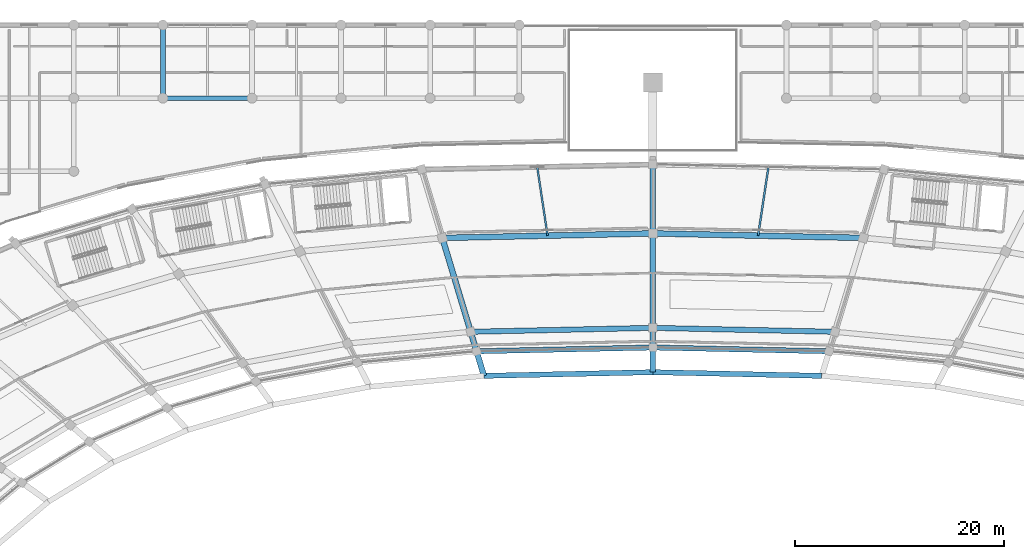
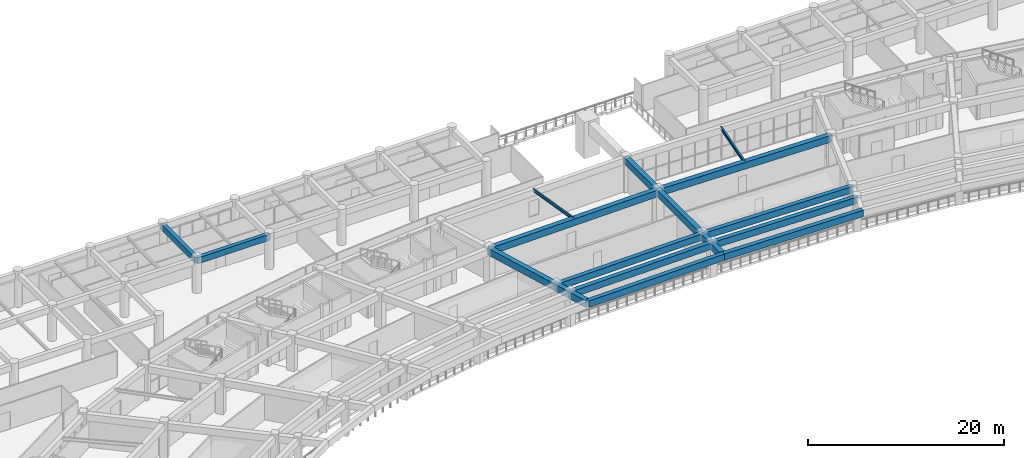
# One storey, part 65 of 145: 15 beams.
"""IFC4 building model written with IfcOpenShell, lengths in metres."""

from ifc_helpers import new_model, si_unit, direction, frame, origin, origin_2d, place, context, subcontext, project, spatial, rectangle, i_section, extrude, material, material_profile, profile_set, type_object, element, save


model = new_model("IFC4")

# Units and contexts
model_context = context("Model", 3, precision=1e-05, world=origin(), true_north=direction((0.0, 1.0)))
body_context = subcontext(model_context, "Body", "Model", "MODEL_VIEW")
ifc_project = project(units=[si_unit("LENGTHUNIT", "METRE"), si_unit("AREAUNIT", "SQUARE_METRE"), si_unit("VOLUMEUNIT", "CUBIC_METRE"), si_unit("PLANEANGLEUNIT", "RADIAN"), si_unit("MASSUNIT", "GRAM", prefix="KILO")], contexts=[model_context])

# Site, building, storey
site_placement = place(None, origin())
site = spatial("IfcSite", under=ifc_project, at=site_placement, CompositionType="ELEMENT")
building_placement = place(site_placement, origin())
building = spatial("IfcBuilding", under=site, at=building_placement, Name="Mphavela Belvedere Stadium", CompositionType="ELEMENT")
storey_placement = place(building_placement, frame((0.0, 0.0, 10.199951171875)))
storey = spatial("IfcBuildingStorey", under=building, at=storey_placement, Name="L02", CompositionType="ELEMENT", Elevation=10.199951171875)

# Beams
ifc_material_1 = material(Name="Steel S355", Category="steel")
ifc_material_profile_1 = material_profile(ifc_material_1, i_section(OverallWidth=0.169921875, OverallDepth=0.360107421875, WebThickness=0.008056640625, FlangeThickness=0.0126953125, at=origin_2d()), Name="IPE 360")
ifc_profile_set_1 = profile_set([ifc_material_profile_1], Name="Steel S355")
beam_type_1 = type_object("IfcBeamType", Name="BM-JOIST-IPE360", PredefinedType="JOIST", material=ifc_profile_set_1)
beam_1_placement = place(storey_placement, frame((104.93359375, 153.850830078125, 4.070068359375), z_axis=(-0.148900105887, 0.98885224299, 0.0), x_axis=(-0.98885224299, -0.148900105887, 0.0)))
element("IfcBeam", 1, at=beam_1_placement, inside=storey, type_object=beam_type_1, Name="Concourse floor joist L02-13", PredefinedType="JOIST", context=body_context, shape_type="SweptSolid", body=[
    extrude(i_section(OverallWidth=0.169921875, OverallDepth=0.360107421875, WebThickness=0.008056640625, FlangeThickness=0.0126953125, at=origin_2d()), origin(), (0.0, 0.0, 1.0), 6.6552734375),
])
ifc_material_2 = material(Name="Steel S355", Category="steel")
ifc_material_profile_2 = material_profile(ifc_material_2, i_section(OverallWidth=0.179931640625, OverallDepth=0.39990234375, WebThickness=0.008544921875, FlangeThickness=0.013427734375, at=origin_2d()), Name="IPE 400")
ifc_profile_set_2 = profile_set([ifc_material_profile_2], Name="Steel S355")
beam_type_2 = type_object("IfcBeamType", Name="BM-JOIST-IPE400", PredefinedType="JOIST", material=ifc_profile_set_2)
beam_2_placement = place(storey_placement, frame((125.06640625, 153.850830078125, 4.050048828125), z_axis=(0.148900105887, 0.98885224299, 0.0), x_axis=(-0.98885224299, 0.148900105887, 0.0)))
element("IfcBeam", 2, at=beam_2_placement, inside=storey, type_object=beam_type_2, Name="Concourse floor joist L02-12", PredefinedType="JOIST", context=body_context, shape_type="SweptSolid", body=[
    extrude(i_section(OverallWidth=0.179931640625, OverallDepth=0.39990234375, WebThickness=0.008544921875, FlangeThickness=0.013427734375, at=origin_2d()), origin(), (0.0, 0.0, 1.0), 6.6552734375),
])
ifc_material_3 = material(Name="Concrete C40/50", Category="concrete")
ifc_material_profile_3 = material_profile(ifc_material_3, rectangle(XDim=0.449951171875, YDim=0.75, at=origin_2d()), Name="RC 450x750")
ifc_profile_set_3 = profile_set([ifc_material_profile_3], Name="Concrete C40/50")
beam_type_3 = type_object("IfcBeamType", Name="BM-RC450x750", PredefinedType="BEAM", material=ifc_profile_set_3)
beam_3_placement = place(storey_placement, frame((68.14794921875, 167.0, 3.864990234375), z_axis=(1.0, 0.0, 0.0), x_axis=(0.0, 1.0, 0.0)))
element("IfcBeam", 3, at=beam_3_placement, inside=storey, type_object=beam_type_3, Name="North Mast and Ceremonial End Forecourt entablature beam X L02 9-7", PredefinedType="BEAM", context=body_context, shape_type="SweptSolid", body=[
    extrude(rectangle(XDim=0.449951171875, YDim=0.75, at=origin_2d()), origin(), (0.0, 0.0, 1.0), 8.51904296875),
])
beam_4_placement = place(storey_placement, frame((68.14794921875, 167.0, 3.864990234375), z_axis=(0.0, 1.0, 0.0), x_axis=(-1.0, 0.0, 0.0)))
element("IfcBeam", 4, at=beam_4_placement, inside=storey, type_object=beam_type_3, Name="North Mast and Ceremonial End Forecourt entablature beam Y L02 9-7", PredefinedType="BEAM", context=body_context, shape_type="SweptSolid", body=[
    extrude(rectangle(XDim=0.449951171875, YDim=0.75, at=origin_2d()), origin(), (0.0, 0.0, 1.0), 7.0),
])
ifc_material_4 = material(Name="Concrete C40/50", Category="concrete")
ifc_material_profile_4 = material_profile(ifc_material_4, rectangle(XDim=0.5, YDim=0.800048828125, at=origin_2d()), Name="RC 500x800")
ifc_profile_set_4 = profile_set([ifc_material_profile_4], Name="Concrete C40/50")
beam_type_4 = type_object("IfcBeamType", Name="BM-RC500x800", PredefinedType="BEAM", material=ifc_profile_set_4)
beam_5_placement = place(storey_placement, frame((131.857177734375, 142.79296875, 3.85009765625), z_axis=(-0.9997681798, 0.021531062658, 0.0), x_axis=(-0.021531062658, -0.9997681798, 0.0)))
element("IfcBeam", 5, at=beam_5_placement, inside=storey, type_object=beam_type_4, Name="Circumferential girder L02 R1-12", PredefinedType="BEAM", context=body_context, shape_type="SweptSolid", body=[
    extrude(rectangle(XDim=0.5, YDim=0.800048828125, at=origin_2d()), origin(), (0.0, 0.0, 1.0), 16.861083984375),
])
beam_6_placement = place(storey_placement, frame((132.42041015625, 144.657470703125, 3.85009765625), z_axis=(-0.999768385959, 0.021521487805, 0.0), x_axis=(-0.021521487805, -0.999768385959, 0.0)))
element("IfcBeam", 6, at=beam_6_placement, inside=storey, type_object=beam_type_4, Name="Circumferential girder L02 R2-12", PredefinedType="BEAM", context=body_context, shape_type="SweptSolid", body=[
    extrude(rectangle(XDim=0.5, YDim=0.800048828125, at=origin_2d()), origin(), (0.0, 0.0, 1.0), 17.424560546875),
])
beam_7_placement = place(storey_placement, frame((115.0, 143.156005859375, 3.85009765625), z_axis=(-0.9997681798, -0.021531062658, 0.0), x_axis=(0.021531062658, -0.9997681798, 0.0)))
element("IfcBeam", 7, at=beam_7_placement, inside=storey, type_object=beam_type_4, Name="Circumferential girder L02 R1-13", PredefinedType="BEAM", context=body_context, shape_type="SweptSolid", body=[
    extrude(rectangle(XDim=0.5, YDim=0.800048828125, at=origin_2d()), origin(), (0.0, 0.0, 1.0), 16.861083984375),
])
beam_8_placement = place(storey_placement, frame((115.0, 145.032470703125, 3.85009765625), z_axis=(-0.999768385959, -0.021521487805, 0.0), x_axis=(0.021521487805, -0.999768385959, 0.0)))
element("IfcBeam", 8, at=beam_8_placement, inside=storey, type_object=beam_type_4, Name="Circumferential girder L02 R2-13", PredefinedType="BEAM", context=body_context, shape_type="SweptSolid", body=[
    extrude(rectangle(XDim=0.5, YDim=0.800048828125, at=origin_2d()), origin(), (0.0, 0.0, 1.0), 17.424560546875),
])
for number, where, z_axis, x_axis, name in (
    (9, (131.14794921875, 140.4453125, 3.85009765625), (-0.999768322215, 0.021524448774, 0.0), (-0.021524448774, -0.999768322215, 0.0), "Upper tier front sightline ring beam 12"),
    (10, (115.0, 140.79296875, 3.85009765625), (-0.999768322215, -0.021524448774, 0.0), (0.021524448774, -0.999768322215, 0.0), "Upper tier front sightline ring beam 13"),
):
    element("IfcBeam", number, at=place(storey_placement, frame(where, z_axis=z_axis, x_axis=x_axis)), inside=storey, type_object=beam_type_4, Name=name, PredefinedType="BEAM", context=body_context, shape_type="SweptSolid", body=[
        extrude(rectangle(XDim=0.5, YDim=0.800048828125, at=origin_2d()), origin(), (0.0, 0.0, 1.0), 16.151611328125),
    ])
ifc_material_5 = material(Name="Concrete C40/50", Category="concrete")
ifc_material_profile_5 = material_profile(ifc_material_5, rectangle(XDim=0.550048828125, YDim=0.85009765625, at=origin_2d()), Name="RC 550x850")
ifc_profile_set_5 = profile_set([ifc_material_profile_5], Name="Concrete C40/50")
beam_type_5 = type_object("IfcBeamType", Name="BM-RC550x850", PredefinedType="BEAM", material=ifc_profile_set_5)
for number, where, z_axis, x_axis, name in (
    (11, (135.1328125, 153.634033203125, 3.824951171875), (-0.999768427465, 0.02151955955, 0.0), (-0.02151955955, -0.999768427465, 0.0), "Circumferential girder L02 R3-12"),
    (12, (115.0, 154.0673828125, 3.824951171875), (-0.999768427465, -0.02151955955, 0.0), (0.02151955955, -0.999768427465, 0.0), "Circumferential girder L02 R3-13"),
):
    element("IfcBeam", number, at=place(storey_placement, frame(where, z_axis=z_axis, x_axis=x_axis)), inside=storey, type_object=beam_type_5, Name=name, PredefinedType="BEAM", context=body_context, shape_type="SweptSolid", body=[
        extrude(rectangle(XDim=0.550048828125, YDim=0.85009765625, at=origin_2d()), origin(), (0.0, 0.0, 1.0), 20.137451171875),
    ])
beam_9_placement = place(storey_placement, frame((115.0, 154.0673828125, 3.824951171875), z_axis=(0.0, 1.0, 0.0), x_axis=(-1.0, 0.0, 0.0)))
element("IfcBeam", 13, at=beam_9_placement, inside=storey, type_object=beam_type_5, Name="Radial concourse girder L02 R3R4-13", PredefinedType="BEAM", context=body_context, shape_type="SweptSolid", body=[
    extrude(rectangle(XDim=0.550048828125, YDim=0.85009765625, at=origin_2d()), origin(), (0.0, 0.0, 1.0), 6.6025390625),
])
beam_10_placement = place(storey_placement, frame((115.0, 140.79296875, 3.824951171875), z_axis=(0.0, 1.0, 0.0), x_axis=(-1.0, 0.0, 0.0)))
element("IfcBeam", 14, at=beam_10_placement, inside=storey, type_object=beam_type_5, Name="Upper tier box-front outrigger girder 13", PredefinedType="BEAM", context=body_context, shape_type="SweptSolid", body=[
    extrude(rectangle(XDim=0.550048828125, YDim=0.85009765625, at=origin_2d()), origin(), (0.0, 0.0, 1.0), 13.2744140625),
])
beam_11_placement = place(storey_placement, frame((98.85205078125, 140.4453125, 3.824951171875), z_axis=(-0.289228268404, 0.957260157301, 0.0), x_axis=(-0.957260157301, -0.289228268404, 0.0)))
element("IfcBeam", 15, at=beam_11_placement, inside=storey, type_object=beam_type_5, Name="Upper tier box-front outrigger girder 14", PredefinedType="BEAM", context=body_context, shape_type="SweptSolid", body=[
    extrude(rectangle(XDim=0.550048828125, YDim=0.85009765625, at=origin_2d()), origin(), (0.0, 0.0, 1.0), 13.777587890625),
])

save(model, "model.ifc")
